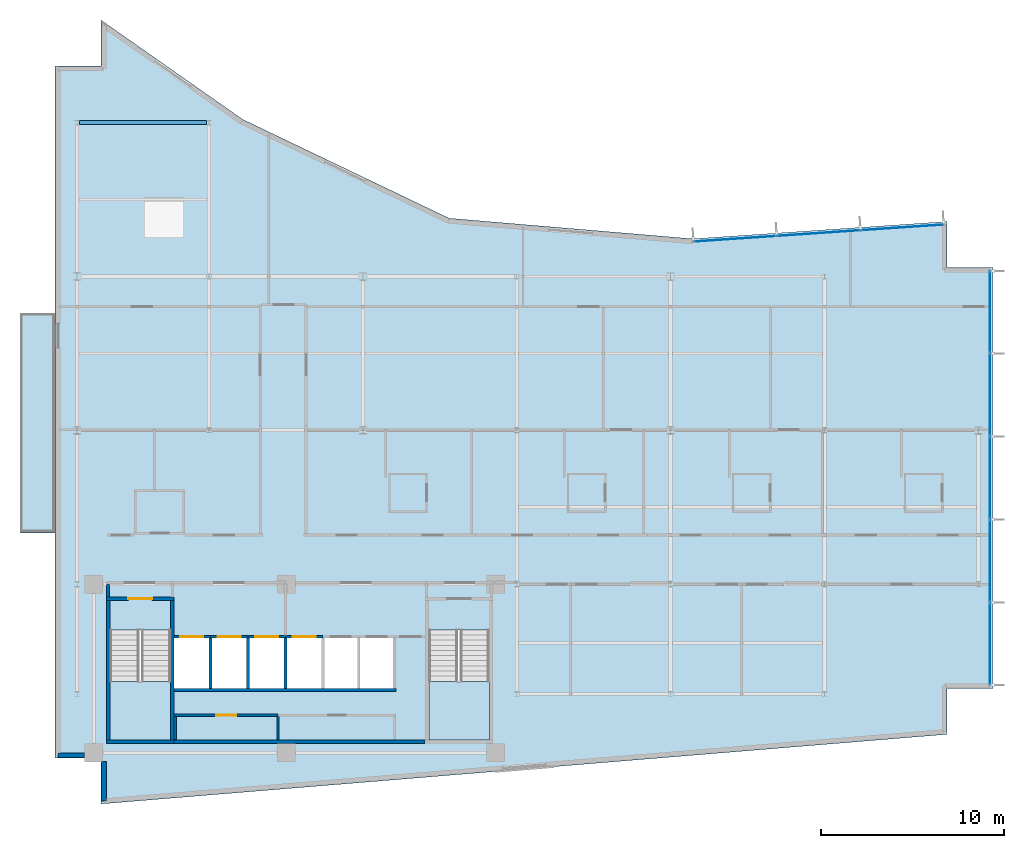
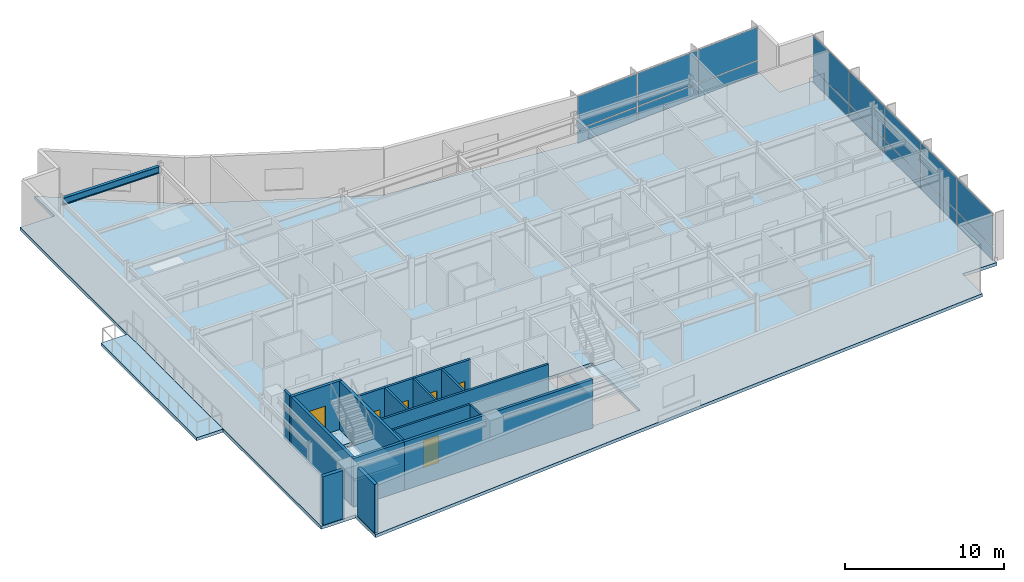
# One storey, part 9 of 16: 19 walls, 16 plates, 6 doors, 4 slabs, 1 beam, 6 openings, 4 elements without a shape of their own.
"""IFC4 building model written with IfcOpenShell, lengths in metres."""

from ifc_helpers import new_model, si_unit, direction, frame, frame_2d, origin, origin_2d, place, context, subcontext, project, spatial, polyline, rectangle, i_section, outline, extrude, material, layer, layer_set, material_profile, profile_set, type_object, element, fill, aggregate, save


model = new_model("IFC4")

# Units and contexts
model_context = context("Model", 3, precision=1e-05, world=origin(), true_north=direction((0.0, 1.0)))
body_context = subcontext(model_context, "Body", "Model", "MODEL_VIEW")
ifc_project = project(units=[si_unit("LENGTHUNIT", "METRE"), si_unit("AREAUNIT", "SQUARE_METRE"), si_unit("VOLUMEUNIT", "CUBIC_METRE"), si_unit("PLANEANGLEUNIT", "RADIAN"), si_unit("MASSUNIT", "GRAM", prefix="KILO")], contexts=[model_context])

# Site, building, storey
site_placement = place(None, origin())
site = spatial("IfcSite", under=ifc_project, at=site_placement, CompositionType="ELEMENT")
building_placement = place(site_placement, origin())
building = spatial("IfcBuilding", under=site, at=building_placement, Name="Varnakote Quay Hospital", CompositionType="ELEMENT")
storey_placement = place(building_placement, frame((0.0, 0.0, 188.14990234375)))
storey = spatial("IfcBuildingStorey", under=building, at=storey_placement, Name="L46", CompositionType="ELEMENT", Elevation=188.14990234375)

# Beam
ifc_material_1 = material(Name="Structural steel AS/NZS 3679.1 Grade 350 L0 (fy 340 MPa)", Category="steel")
ifc_material_profile = material_profile(ifc_material_1, i_section(OverallWidth=0.208984375, OverallDepth=0.532958984375, WebThickness=0.01025390625, FlangeThickness=0.015625, FilletRadius=0.013916015625, at=origin_2d()), Name="530UB92.4")
ifc_profile_set = profile_set([ifc_material_profile], Name="Structural steel AS/NZS 3679.1 Grade 350 L0 (fy 340 MPa)")
beam_type = type_object("IfcBeamType", Name="BM-STL-530UB92-4", PredefinedType="BEAM", material=ifc_profile_set)
beam_placement = place(storey_placement, frame((1.327880859375, 37.199951171875, 3.443603515625), z_axis=(1.0, 0.0, 0.0), x_axis=(0.0, 1.0, 0.0)))
element("IfcBeam", 1, at=beam_placement, inside=storey, type_object=beam_type, Name="L46 Primary Floor Beam", PredefinedType="BEAM", context=body_context, shape_type="SweptSolid", body=[
    extrude(i_section(OverallWidth=0.208984375, OverallDepth=0.532958984375, WebThickness=0.01025390625, FlangeThickness=0.015625, FilletRadius=0.013916015625, at=origin_2d()), origin(), (0.0, 0.0, 1.0), 6.944091796875),
])

# Curtain wall, plates
ifc_material_2 = material(Name="Anodised aluminium 6063-T6 Bronze", Category="aluminium")
ifc_layer_1 = layer(ifc_material_2, 0.219970703125)
ifc_layer_set_1 = layer_set([ifc_layer_1], Name="Anodised aluminium 6063-T6 Bronze")
curtain_wall_type = type_object("IfcCurtainWallType", Name="CW-SYS-4", PredefinedType="NOTDEFINED", material=ifc_layer_set_1)
curtain_wall_1_placement = place(storey_placement, origin())
curtain_wall_1 = element("IfcCurtainWall", 2, at=curtain_wall_1_placement, inside=storey, type_object=curtain_wall_type, Name="L46 Unitised Bronze Curtain Wall 1", PredefinedType="NOTDEFINED")
ifc_material_3 = material(Name="Double-glazed low-E solar glass", Category="glass")
ifc_layer_2 = layer(ifc_material_3, 0.028076171875)
ifc_layer_set_2 = layer_set([ifc_layer_2], Name="Double-glazed low-E solar glass")
plate_type = type_object("IfcPlateType", Name="CW-PNL-GLZ-28", PredefinedType="CURTAIN_PANEL", material=ifc_layer_set_2)
plate_1_placement = place(storey_placement, frame((51.0400390625, 8.744140625, 0.065185546875), z_axis=(0.0, 0.0, 1.0), x_axis=(0.0, 1.0, 0.0)))
plate_1 = element("IfcPlate", 3, at=plate_1_placement, type_object=plate_type, Name="-4-L46-1 panel 1.1", PredefinedType="CURTAIN_PANEL", context=body_context, shape_type="SweptSolid", body=[
    extrude(rectangle(XDim=4.4384765625, YDim=0.028076171875, at=origin_2d()), origin(), (0.0, 0.0, 1.0), 1.00244140625),
])
plate_2_placement = place(storey_placement, frame((51.0400390625, 8.744140625, 1.1328125), z_axis=(0.0, 0.0, 1.0), x_axis=(0.0, 1.0, 0.0)))
plate_2 = element("IfcPlate", 4, at=plate_2_placement, type_object=plate_type, Name="-4-L46-1 panel 1.2", PredefinedType="CURTAIN_PANEL", context=body_context, shape_type="SweptSolid", body=[
    extrude(rectangle(XDim=4.4384765625, YDim=0.028076171875, at=origin_2d()), origin(), (0.0, 0.0, 1.0), 2.512451171875),
])
plate_3_placement = place(storey_placement, frame((51.0400390625, 13.263916015625, 0.065185546875), z_axis=(0.0, 0.0, 1.0), x_axis=(0.0, 1.0, 0.0)))
plate_3 = element("IfcPlate", 5, at=plate_3_placement, type_object=plate_type, Name="-4-L46-1 panel 2.1", PredefinedType="CURTAIN_PANEL", context=body_context, shape_type="SweptSolid", body=[
    extrude(rectangle(XDim=4.470947265625, YDim=0.028076171875, at=origin_2d()), origin(), (0.0, 0.0, 1.0), 1.00244140625),
])
plate_4_placement = place(storey_placement, frame((51.0400390625, 13.263916015625, 1.1328125), z_axis=(0.0, 0.0, 1.0), x_axis=(0.0, 1.0, 0.0)))
plate_4 = element("IfcPlate", 6, at=plate_4_placement, type_object=plate_type, Name="-4-L46-1 panel 2.2", PredefinedType="CURTAIN_PANEL", context=body_context, shape_type="SweptSolid", body=[
    extrude(rectangle(XDim=4.470947265625, YDim=0.028076171875, at=origin_2d()), origin(), (0.0, 0.0, 1.0), 2.512451171875),
])
plate_5_placement = place(storey_placement, frame((51.0400390625, 17.800048828125, 0.065185546875), z_axis=(0.0, 0.0, 1.0), x_axis=(0.0, 1.0, 0.0)))
plate_5 = element("IfcPlate", 7, at=plate_5_placement, type_object=plate_type, Name="-4-L46-1 panel 3.1", PredefinedType="CURTAIN_PANEL", context=body_context, shape_type="SweptSolid", body=[
    extrude(rectangle(XDim=4.470947265625, YDim=0.028076171875, at=origin_2d()), origin(), (0.0, 0.0, 1.0), 1.00244140625),
])
plate_6_placement = place(storey_placement, frame((51.0400390625, 17.800048828125, 1.1328125), z_axis=(0.0, 0.0, 1.0), x_axis=(0.0, 1.0, 0.0)))
plate_6 = element("IfcPlate", 8, at=plate_6_placement, type_object=plate_type, Name="-4-L46-1 panel 3.2", PredefinedType="CURTAIN_PANEL", context=body_context, shape_type="SweptSolid", body=[
    extrude(rectangle(XDim=4.470947265625, YDim=0.028076171875, at=origin_2d()), origin(), (0.0, 0.0, 1.0), 2.512451171875),
])
plate_7_placement = place(storey_placement, frame((51.0400390625, 22.3359375, 0.065185546875), z_axis=(0.0, 0.0, 1.0), x_axis=(0.0, 1.0, 0.0)))
plate_7 = element("IfcPlate", 9, at=plate_7_placement, type_object=plate_type, Name="-4-L46-1 panel 4.1", PredefinedType="CURTAIN_PANEL", context=body_context, shape_type="SweptSolid", body=[
    extrude(rectangle(XDim=4.470947265625, YDim=0.028076171875, at=origin_2d()), origin(), (0.0, 0.0, 1.0), 1.00244140625),
])
plate_8_placement = place(storey_placement, frame((51.0400390625, 22.3359375, 1.1328125), z_axis=(0.0, 0.0, 1.0), x_axis=(0.0, 1.0, 0.0)))
plate_8 = element("IfcPlate", 10, at=plate_8_placement, type_object=plate_type, Name="-4-L46-1 panel 4.2", PredefinedType="CURTAIN_PANEL", context=body_context, shape_type="SweptSolid", body=[
    extrude(rectangle(XDim=4.470947265625, YDim=0.028076171875, at=origin_2d()), origin(), (0.0, 0.0, 1.0), 2.512451171875),
])
plate_9_placement = place(storey_placement, frame((51.0400390625, 26.855712890625, 0.065185546875), z_axis=(0.0, 0.0, 1.0), x_axis=(0.0, 1.0, 0.0)))
plate_9 = element("IfcPlate", 11, at=plate_9_placement, type_object=plate_type, Name="-4-L46-1 panel 5.1", PredefinedType="CURTAIN_PANEL", context=body_context, shape_type="SweptSolid", body=[
    extrude(rectangle(XDim=4.4384765625, YDim=0.028076171875, at=origin_2d()), origin(), (0.0, 0.0, 1.0), 1.00244140625),
])
plate_10_placement = place(storey_placement, frame((51.0400390625, 26.855712890625, 1.1328125), z_axis=(0.0, 0.0, 1.0), x_axis=(0.0, 1.0, 0.0)))
plate_10 = element("IfcPlate", 12, at=plate_10_placement, type_object=plate_type, Name="-4-L46-1 panel 5.2", PredefinedType="CURTAIN_PANEL", context=body_context, shape_type="SweptSolid", body=[
    extrude(rectangle(XDim=4.4384765625, YDim=0.028076171875, at=origin_2d()), origin(), (0.0, 0.0, 1.0), 2.512451171875),
])
aggregate(curtain_wall_1, [plate_1, plate_2, plate_3, plate_4, plate_5, plate_6, plate_7, plate_8, plate_9, plate_10])

curtain_wall_2_placement = place(storey_placement, origin())
curtain_wall_2 = element("IfcCurtainWall", 13, at=curtain_wall_2_placement, inside=storey, type_object=curtain_wall_type, Name="L46 Unitised Bronze Curtain Wall 2", PredefinedType="NOTDEFINED")
plate_11_placement = place(storey_placement, frame((46.236328125, 31.47216796875, 0.065185546875), z_axis=(0.0, 0.0, 1.0), x_axis=(-0.997696087615, -0.067841851077, 0.0)))
plate_11 = element("IfcPlate", 14, at=plate_11_placement, type_object=plate_type, Name="-4-L46-2 panel 1.1", PredefinedType="CURTAIN_PANEL", context=body_context, shape_type="SweptSolid", body=[
    extrude(rectangle(XDim=4.48828125, YDim=0.028076171875, at=origin_2d()), origin(), (0.0, 0.0, 1.0), 1.00244140625),
])
plate_12_placement = place(storey_placement, frame((46.236328125, 31.47216796875, 1.1328125), z_axis=(0.0, 0.0, 1.0), x_axis=(-0.997696087615, -0.067841851077, 0.0)))
plate_12 = element("IfcPlate", 15, at=plate_12_placement, type_object=plate_type, Name="-4-L46-2 panel 1.2", PredefinedType="CURTAIN_PANEL", context=body_context, shape_type="SweptSolid", body=[
    extrude(rectangle(XDim=4.48828125, YDim=0.028076171875, at=origin_2d()), origin(), (0.0, 0.0, 1.0), 2.512451171875),
])
plate_13_placement = place(storey_placement, frame((41.67724609375, 31.162109375, 0.065185546875), z_axis=(0.0, 0.0, 1.0), x_axis=(-0.997696087615, -0.067841851077, 0.0)))
plate_13 = element("IfcPlate", 16, at=plate_13_placement, type_object=plate_type, Name="-4-L46-2 panel 2.1", PredefinedType="CURTAIN_PANEL", context=body_context, shape_type="SweptSolid", body=[
    extrude(rectangle(XDim=4.520751953125, YDim=0.028076171875, at=origin_2d()), origin(), (0.0, 0.0, 1.0), 1.00244140625),
])
plate_14_placement = place(storey_placement, frame((41.67724609375, 31.162109375, 1.1328125), z_axis=(0.0, 0.0, 1.0), x_axis=(-0.997696087615, -0.067841851077, 0.0)))
plate_14 = element("IfcPlate", 17, at=plate_14_placement, type_object=plate_type, Name="-4-L46-2 panel 2.2", PredefinedType="CURTAIN_PANEL", context=body_context, shape_type="SweptSolid", body=[
    extrude(rectangle(XDim=4.520751953125, YDim=0.028076171875, at=origin_2d()), origin(), (0.0, 0.0, 1.0), 2.512451171875),
])
plate_15_placement = place(storey_placement, frame((37.118408203125, 30.85205078125, 0.065185546875), z_axis=(0.0, 0.0, 1.0), x_axis=(-0.997696087615, -0.067841851077, 0.0)))
plate_15 = element("IfcPlate", 18, at=plate_15_placement, type_object=plate_type, Name="-4-L46-2 panel 3.1", PredefinedType="CURTAIN_PANEL", context=body_context, shape_type="SweptSolid", body=[
    extrude(rectangle(XDim=4.48828125, YDim=0.028076171875, at=origin_2d()), origin(), (0.0, 0.0, 1.0), 1.00244140625),
])
plate_16_placement = place(storey_placement, frame((37.118408203125, 30.85205078125, 1.1328125), z_axis=(0.0, 0.0, 1.0), x_axis=(-0.997696087615, -0.067841851077, 0.0)))
plate_16 = element("IfcPlate", 19, at=plate_16_placement, type_object=plate_type, Name="-4-L46-2 panel 3.2", PredefinedType="CURTAIN_PANEL", context=body_context, shape_type="SweptSolid", body=[
    extrude(rectangle(XDim=4.48828125, YDim=0.028076171875, at=origin_2d()), origin(), (0.0, 0.0, 1.0), 2.512451171875),
])
aggregate(curtain_wall_2, [plate_11, plate_12, plate_13, plate_14, plate_15, plate_16])

# Stair, slab
ifc_material_4 = material(Name="Concrete N40 (f'c 40 MPa)", Category="concrete")
stair_type = type_object("IfcStairType", Name="STR-CORE-1580", PredefinedType="HALF_TURN_STAIR", material=ifc_material_4)
stair_1_placement = place(storey_placement, origin())
stair_1 = element("IfcStair", 20, at=stair_1_placement, inside=storey, type_object=stair_type, Name="L46 Fire-Isolated Exit Stair ST-01", PredefinedType="HALF_TURN_STAIR")
ifc_material_5 = material(Name="Concrete N40 (f'c 40 MPa)", Category="concrete")
ifc_layer_3 = layer(ifc_material_5, 0.199951171875)
ifc_layer_set_3 = layer_set([ifc_layer_3], Name="Concrete N40 (f'c 40 MPa)")
slab_type_1 = type_object("IfcSlabType", Name="SLB-STAIR-LND-200", PredefinedType="LANDING", material=ifc_layer_set_3)
slab_1_placement = place(storey_placement, frame((0.0, 0.0, 1.775146484375)))
slab_1 = element("IfcSlab", 21, at=slab_1_placement, type_object=slab_type_1, Name="ST-01 landing 1", PredefinedType="LANDING", context=body_context, shape_type="SweptSolid", body=[
    extrude(outline(polyline([(3.0, 6.699951171875), (3.0, 3.5), (6.300048828125, 3.5), (6.300048828125, 6.699951171875), (3.0, 6.699951171875)])), origin(), (0.0, 0.0, 1.0), 0.199951171875),
])
aggregate(stair_1, [slab_1])

stair_2_placement = place(storey_placement, origin())
stair_2 = element("IfcStair", 22, at=stair_2_placement, inside=storey, type_object=stair_type, Name="L46 Fire-Isolated Exit Stair ST-02", PredefinedType="HALF_TURN_STAIR")
slab_2_placement = place(storey_placement, frame((0.0, 0.0, 1.775146484375)))
slab_2 = element("IfcSlab", 23, at=slab_2_placement, type_object=slab_type_1, Name="ST-02 landing 1", PredefinedType="LANDING", context=body_context, shape_type="SweptSolid", body=[
    extrude(outline(polyline([(20.39990234375, 6.699951171875), (20.39990234375, 3.5), (23.699951171875, 3.5), (23.699951171875, 6.699951171875), (20.39990234375, 6.699951171875)])), origin(), (0.0, 0.0, 1.0), 0.199951171875),
])
aggregate(stair_2, [slab_2])

# Slabs
ifc_material_6 = material(Name="Concrete N50 (f'c 50 MPa)", Category="concrete")
ifc_layer_4 = layer(ifc_material_6, 0.239990234375)
ifc_layer_set_4 = layer_set([ifc_layer_4], Name="Concrete N50 (f'c 50 MPa)")
slab_type_2 = type_object("IfcSlabType", Name="SLB-TERR-200", PredefinedType="FLOOR", material=ifc_layer_set_4)
slab_3_placement = place(storey_placement, frame((0.0, 0.0, -0.239990234375)))
element("IfcSlab", 24, at=slab_3_placement, inside=storey, type_object=slab_type_2, Name="L46 Waterfront Healing Terrace Slab", PredefinedType="FLOOR", context=body_context, shape_type="SweptSolid", body=[
    extrude(outline(polyline([(0.00390625, 14.800048828125), (0.00390625, 26.800048828125), (-1.919921875, 26.800048828125), (-1.919921875, 14.800048828125), (0.00390625, 14.800048828125)])), origin(), (0.0, 0.0, 1.0), 0.239990234375),
])
ifc_material_7 = material(Name="Concrete N50 (f'c 50 MPa)", Category="concrete")
ifc_layer_5 = layer(ifc_material_7, 0.239990234375)
ifc_layer_set_5 = layer_set([ifc_layer_5], Name="Concrete N50 (f'c 50 MPa)")
slab_type_3 = type_object("IfcSlabType", Name="SLB-WARD-200", PredefinedType="FLOOR", material=ifc_layer_set_5)
slab_4_placement = place(storey_placement, frame((0.0, 0.0, -0.239990234375)))
element("IfcSlab", 25, at=slab_4_placement, inside=storey, type_object=slab_type_3, Name="L46 Primary Floor Slab", PredefinedType="FLOOR", context=body_context, shape_type="SweptSolid", body=[
    extrude(outline(polyline([(0.0, 2.5), (2.5, 2.5), (2.5, 0.0), (48.699951171875, 3.800048828125), (48.699951171875, 6.300048828125), (51.199951171875, 6.300048828125), (51.199951171875, 29.300048828125), (48.699951171875, 29.300048828125), (48.699951171875, 31.800048828125), (34.81591796875, 30.85595703125), (21.50390625, 31.97998046875), (10.239990234375, 37.3759765625), (2.5, 42.800048828125), (2.5, 40.300048828125), (0.0, 40.300048828125), (0.0, 2.5)]), holes=[polyline([(3.0, 3.5), (6.300048828125, 3.5), (6.300048828125, 9.49951171875), (3.0, 9.49951171875), (3.0, 3.5)]), polyline([(20.39990234375, 3.5), (23.699951171875, 3.5), (23.699951171875, 9.49951171875), (20.39990234375, 9.49951171875), (20.39990234375, 3.5)]), polyline([(6.5, 6.300048828125), (8.39990234375, 6.300048828125), (8.39990234375, 9.050048828125), (6.5, 9.050048828125), (6.5, 6.300048828125)]), polyline([(8.550048828125, 6.300048828125), (10.449951171875, 6.300048828125), (10.449951171875, 9.050048828125), (8.550048828125, 9.050048828125), (8.550048828125, 6.300048828125)]), polyline([(10.60009765625, 6.300048828125), (12.5, 6.300048828125), (12.5, 9.050048828125), (10.60009765625, 9.050048828125), (10.60009765625, 6.300048828125)]), polyline([(12.64990234375, 6.300048828125), (14.550048828125, 6.300048828125), (14.550048828125, 9.050048828125), (12.64990234375, 9.050048828125), (12.64990234375, 6.300048828125)]), polyline([(14.699951171875, 6.300048828125), (16.5, 6.300048828125), (16.5, 9.050048828125), (14.699951171875, 9.050048828125), (14.699951171875, 6.300048828125)]), polyline([(16.64990234375, 6.300048828125), (18.449951171875, 6.300048828125), (18.449951171875, 9.050048828125), (16.64990234375, 9.050048828125), (16.64990234375, 6.300048828125)])]), origin(), (0.0, 0.0, 1.0), 0.239990234375),
])

# Walls
ifc_material_8 = material(Name="Fire-rated acoustic gypsum stud wall", Category="gypsum")
ifc_layer_6 = layer(ifc_material_8, 0.159912109375)
ifc_layer_set_6 = layer_set([ifc_layer_6], Name="Fire-rated acoustic gypsum stud wall")
wall_type_1 = type_object("IfcWallType", Name="WL-COMP-160", PredefinedType="PARTITIONING", material=ifc_layer_set_6)
wall_1_placement = place(storey_placement, frame((2.8798828125, 11.300048828125, 0.0), z_axis=(0.0, 0.0, 1.0), x_axis=(0.0, 1.0, 0.0)))
element("IfcWall", 26, at=wall_1_placement, inside=storey, type_object=wall_type_1, Name="L46 West Stair Vestibule West Wall", PredefinedType="PARTITIONING", context=body_context, shape_type="SweptSolid", body=[
    extrude(rectangle(XDim=0.699951171875, YDim=0.159912109375, at=frame_2d((0.35009765625, 0.0))), origin(), (0.0, 0.0, 1.0), 3.710205078125),
])
ifc_material_9 = material(Name="Concrete N50 (f'c 50 MPa)", Category="concrete")
ifc_layer_7 = layer(ifc_material_9, 0.199951171875)
ifc_layer_set_7 = layer_set([ifc_layer_7], Name="Concrete N50 (f'c 50 MPa)")
wall_type_2 = type_object("IfcWallType", Name="WL-CORE-N50-200", PredefinedType="SHEAR", material=ifc_layer_set_7)
wall_2_placement = place(storey_placement, frame((6.5, 3.39990234375, 0.0), z_axis=(0.0, 0.0, 1.0), x_axis=(1.0, 0.0, 0.0)))
element("IfcWall", 27, at=wall_2_placement, inside=storey, type_object=wall_type_2, Name="L46 Rear Core South Shear Wall", PredefinedType="SHEAR", context=body_context, shape_type="SweptSolid", body=[
    extrude(rectangle(XDim=13.699951171875, YDim=0.199951171875, at=frame_2d((6.85009765625, 0.0))), origin(), (0.0, 0.0, 1.0), 3.710205078125),
])
ifc_material_10 = material(Name="Precast concrete N50 (f'c 50 MPa)", Category="concrete")
ifc_layer_8 = layer(ifc_material_10, 0.260009765625)
ifc_layer_set_8 = layer_set([ifc_layer_8], Name="Precast concrete N50 (f'c 50 MPa)")
wall_type_3 = type_object("IfcWallType", Name="WL-EXT-BRICK-260", PredefinedType="STANDARD", material=ifc_layer_set_8)
wall_3_placement = place(storey_placement, frame((2.659912109375, 2.31494140625, 0.0), z_axis=(0.0, 0.0, 1.0), x_axis=(0.0, -1.0, 0.0)))
element("IfcWall", 28, at=wall_3_placement, inside=storey, type_object=wall_type_3, Name="L46 Brick-Faced Precast Exterior Wall", PredefinedType="STANDARD", context=body_context, shape_type="SweptSolid", body=[
    extrude(rectangle(XDim=2.141357421875, YDim=0.260009765625, at=frame_2d((1.07080078125, 0.0))), origin(), (0.0, 0.0, 1.0), 3.710205078125),
])
wall_4_placement = place(storey_placement, frame((0.159912109375, 2.659912109375, 0.0), z_axis=(0.0, 0.0, 1.0), x_axis=(1.0, 0.0, 0.0)))
element("IfcWall", 29, at=wall_4_placement, inside=storey, type_object=wall_type_3, Name="L46 Brick-Faced Precast Exterior Wall", PredefinedType="STANDARD", context=body_context, shape_type="SweptSolid", body=[
    extrude(rectangle(XDim=1.455078125, YDim=0.260009765625, at=frame_2d((0.7275390625, 0.0))), origin(), (0.0, 0.0, 1.0), 3.710205078125),
])
ifc_material_11 = material(Name="Concrete N50 (f'c 50 MPa)", Category="concrete")
ifc_layer_9 = layer(ifc_material_11, 0.14990234375)
ifc_layer_set_9 = layer_set([ifc_layer_9], Name="Concrete N50 (f'c 50 MPa)")
wall_type_4 = type_object("IfcWallType", Name="WL-SHAFT-N50-150", PredefinedType="SHEAR", material=ifc_layer_set_9)
for number, where, z_axis, x_axis, name in (
    (30, (8.47509765625, 6.300048828125, 0.0), (0.0, 0.0, 1.0), (0.0, 1.0, 0.0), "L46 LF-FF1 Hoistway Divider Wall"),
    (31, (10.52490234375, 6.300048828125, 0.0), (0.0, 0.0, 1.0), (0.0, 1.0, 0.0), "L46 LF-FF2 Hoistway Divider Wall"),
    (32, (12.574951171875, 6.300048828125, 0.0), (0.0, 0.0, 1.0), (0.0, 1.0, 0.0), "L46 LF-SV1 Hoistway Divider Wall"),
):
    element("IfcWall", number, at=place(storey_placement, frame(where, z_axis=z_axis, x_axis=x_axis)), inside=storey, type_object=wall_type_4, Name=name, PredefinedType="SHEAR", context=body_context, shape_type="SweptSolid", body=[
        extrude(rectangle(XDim=2.75, YDim=0.14990234375, at=frame_2d((1.375, 0.0))), origin(), (0.0, 0.0, 1.0), 3.710205078125),
    ])
ifc_material_12 = material(Name="Concrete N50 (f'c 50 MPa)", Category="concrete")
ifc_layer_10 = layer(ifc_material_12, 0.159912109375)
ifc_layer_set_10 = layer_set([ifc_layer_10], Name="Concrete N50 (f'c 50 MPa)")
wall_type_5 = type_object("IfcWallType", Name="WL-SHAFT-N50-160", PredefinedType="SHEAR", material=ifc_layer_set_10)
wall_5_placement = place(storey_placement, frame((6.5, 6.219970703125, 0.0), z_axis=(0.0, 0.0, 1.0), x_axis=(1.0, 0.0, 0.0)))
element("IfcWall", 33, at=wall_5_placement, inside=storey, type_object=wall_type_5, Name="L46 REAR Lift Bank Back Shear Wall", PredefinedType="SHEAR", context=body_context, shape_type="SweptSolid", body=[
    extrude(rectangle(XDim=12.110107421875, YDim=0.159912109375, at=frame_2d((6.05517578125, 0.0))), origin(), (0.0, 0.0, 1.0), 3.710205078125),
])

# Wall, opening, door
wall_6_placement = place(storey_placement, frame((6.5, 9.1298828125, 0.0), z_axis=(0.0, 0.0, 1.0), x_axis=(1.0, 0.0, 0.0)))
wall_6 = element("IfcWall", 34, at=wall_6_placement, inside=storey, type_object=wall_type_5, Name="L46 LF-FF1 Hoistway Front Wall", PredefinedType="SHEAR", context=body_context, shape_type="SweptSolid", body=[
    extrude(rectangle(XDim=1.97509765625, YDim=0.159912109375, at=frame_2d((0.987548828125, 0.0))), origin(), (0.0, 0.0, 1.0), 3.710205078125),
])
opening_1_placement = place(wall_6_placement, frame((0.324951171875, 0.0, 0.0)))
opening_1 = element("IfcOpeningElement", 35, at=opening_1_placement, cuts=wall_6, Name="Opening LD-FF1-L46", PredefinedType="OPENING", context=body_context, shape_type="SweptSolid", body=[
    extrude(rectangle(XDim=1.25, YDim=2.14990234375, at=frame_2d((0.625, 1.074951171875))), frame((0.0, 0.08984375, 0.0), z_axis=(0.0, -1.0, 0.0), x_axis=(1.0, 0.0, 0.0)), (0.0, 0.0, 1.0), 0.179931640625),
])
ifc_material_13 = material(Name="Stainless steel lift landing sliding door", Category="steel")
door_type_1 = type_object("IfcDoorType", Name="DR-LIFT-LD-1250x2150", OperationType="NOTDEFINED", PredefinedType="DOOR", material=ifc_material_13)
door_1_placement = place(opening_1_placement, origin())
door_1 = element("IfcDoor", 36, at=door_1_placement, inside=storey, type_object=door_type_1, Name="L46 LF-FF1 Lift Landing Sliding Door", OperationType="SLIDING_TO_LEFT", OverallHeight=2.14990234375, OverallWidth=1.25, PredefinedType="DOOR", context=body_context, shape_type="SweptSolid", body=[
    extrude(rectangle(XDim=1.25, YDim=2.14990234375, at=frame_2d((0.625, 1.074951171875))), frame((0.0, 0.02490234375, 0.0), z_axis=(0.0, -1.0, 0.0), x_axis=(1.0, 0.0, 0.0)), (0.0, 0.0, 1.0), 0.050048828125),
])
fill(opening_1, door_1)

wall_7_placement = place(storey_placement, frame((8.47509765625, 9.1298828125, 0.0), z_axis=(0.0, 0.0, 1.0), x_axis=(1.0, 0.0, 0.0)))
wall_7 = element("IfcWall", 37, at=wall_7_placement, inside=storey, type_object=wall_type_5, Name="L46 LF-FF2 Hoistway Front Wall", PredefinedType="SHEAR", context=body_context, shape_type="SweptSolid", body=[
    extrude(rectangle(XDim=2.0498046875, YDim=0.159912109375, at=frame_2d((1.02490234375, 0.0))), origin(), (0.0, 0.0, 1.0), 3.710205078125),
])
opening_2_placement = place(wall_7_placement, frame((0.39990234375, 0.0, 0.0)))
opening_2 = element("IfcOpeningElement", 38, at=opening_2_placement, cuts=wall_7, Name="Opening LD-FF2-L46", PredefinedType="OPENING", context=body_context, shape_type="SweptSolid", body=[
    extrude(rectangle(XDim=1.25, YDim=2.14990234375, at=frame_2d((0.625, 1.074951171875))), frame((0.0, 0.08984375, 0.0), z_axis=(0.0, -1.0, 0.0), x_axis=(1.0, 0.0, 0.0)), (0.0, 0.0, 1.0), 0.179931640625),
])
door_2_placement = place(opening_2_placement, origin())
door_2 = element("IfcDoor", 39, at=door_2_placement, inside=storey, type_object=door_type_1, Name="L46 LF-FF2 Lift Landing Sliding Door", OperationType="SLIDING_TO_LEFT", OverallHeight=2.14990234375, OverallWidth=1.25, PredefinedType="DOOR", context=body_context, shape_type="SweptSolid", body=[
    extrude(rectangle(XDim=1.25, YDim=2.14990234375, at=frame_2d((0.625, 1.074951171875))), frame((0.0, 0.02490234375, 0.0), z_axis=(0.0, -1.0, 0.0), x_axis=(1.0, 0.0, 0.0)), (0.0, 0.0, 1.0), 0.050048828125),
])
fill(opening_2, door_2)

wall_8_placement = place(storey_placement, frame((10.52490234375, 9.1298828125, 0.0), z_axis=(0.0, 0.0, 1.0), x_axis=(1.0, 0.0, 0.0)))
wall_8 = element("IfcWall", 40, at=wall_8_placement, inside=storey, type_object=wall_type_5, Name="L46 LF-SV1 Hoistway Front Wall", PredefinedType="SHEAR", context=body_context, shape_type="SweptSolid", body=[
    extrude(rectangle(XDim=2.050048828125, YDim=0.159912109375, at=frame_2d((1.02490234375, 0.0))), origin(), (0.0, 0.0, 1.0), 3.710205078125),
])
opening_3_placement = place(wall_8_placement, frame((0.39990234375, 0.0, 0.0)))
opening_3 = element("IfcOpeningElement", 41, at=opening_3_placement, cuts=wall_8, Name="Opening LD-SV1-L46", PredefinedType="OPENING", context=body_context, shape_type="SweptSolid", body=[
    extrude(rectangle(XDim=1.25, YDim=2.14990234375, at=frame_2d((0.625, 1.074951171875))), frame((0.0, 0.08984375, 0.0), z_axis=(0.0, -1.0, 0.0), x_axis=(1.0, 0.0, 0.0)), (0.0, 0.0, 1.0), 0.179931640625),
])
door_3_placement = place(opening_3_placement, origin())
door_3 = element("IfcDoor", 42, at=door_3_placement, inside=storey, type_object=door_type_1, Name="L46 LF-SV1 Lift Landing Sliding Door", OperationType="SLIDING_TO_LEFT", OverallHeight=2.14990234375, OverallWidth=1.25, PredefinedType="DOOR", context=body_context, shape_type="SweptSolid", body=[
    extrude(rectangle(XDim=1.25, YDim=2.14990234375, at=frame_2d((0.625, 1.074951171875))), frame((0.0, 0.02490234375, 0.0), z_axis=(0.0, -1.0, 0.0), x_axis=(1.0, 0.0, 0.0)), (0.0, 0.0, 1.0), 0.050048828125),
])
fill(opening_3, door_3)

wall_9_placement = place(storey_placement, frame((12.574951171875, 9.1298828125, 0.0), z_axis=(0.0, 0.0, 1.0), x_axis=(1.0, 0.0, 0.0)))
wall_9 = element("IfcWall", 43, at=wall_9_placement, inside=storey, type_object=wall_type_5, Name="L46 LF-SV2 Hoistway Front Wall", PredefinedType="SHEAR", context=body_context, shape_type="SweptSolid", body=[
    extrude(rectangle(XDim=2.050048828125, YDim=0.159912109375, at=frame_2d((1.02490234375, 0.0))), origin(), (0.0, 0.0, 1.0), 3.710205078125),
])
opening_4_placement = place(wall_9_placement, frame((0.39990234375, 0.0, 0.0)))
opening_4 = element("IfcOpeningElement", 44, at=opening_4_placement, cuts=wall_9, Name="Opening LD-SV2-L46", PredefinedType="OPENING", context=body_context, shape_type="SweptSolid", body=[
    extrude(rectangle(XDim=1.25, YDim=2.14990234375, at=frame_2d((0.625, 1.074951171875))), frame((0.0, 0.08984375, 0.0), z_axis=(0.0, -1.0, 0.0), x_axis=(1.0, 0.0, 0.0)), (0.0, 0.0, 1.0), 0.179931640625),
])
door_4_placement = place(opening_4_placement, origin())
door_4 = element("IfcDoor", 45, at=door_4_placement, inside=storey, type_object=door_type_1, Name="L46 LF-SV2 Lift Landing Sliding Door", OperationType="SLIDING_TO_LEFT", OverallHeight=2.14990234375, OverallWidth=1.25, PredefinedType="DOOR", context=body_context, shape_type="SweptSolid", body=[
    extrude(rectangle(XDim=1.25, YDim=2.14990234375, at=frame_2d((0.625, 1.074951171875))), frame((0.0, 0.02490234375, 0.0), z_axis=(0.0, -1.0, 0.0), x_axis=(1.0, 0.0, 0.0)), (0.0, 0.0, 1.0), 0.050048828125),
])
fill(opening_4, door_4)

# Walls
ifc_material_14 = material(Name="Concrete N50 (f'c 50 MPa)", Category="concrete")
ifc_layer_11 = layer(ifc_material_14, 0.199951171875)
ifc_layer_set_11 = layer_set([ifc_layer_11], Name="Concrete N50 (f'c 50 MPa)")
wall_type_6 = type_object("IfcWallType", Name="WL-SHAFT-N50-200", PredefinedType="SHEAR", material=ifc_layer_set_11)
wall_10_placement = place(storey_placement, frame((2.800048828125, 3.39990234375, 0.0), z_axis=(0.0, 0.0, 1.0), x_axis=(1.0, 0.0, 0.0)))
element("IfcWall", 46, at=wall_10_placement, inside=storey, type_object=wall_type_6, Name="L46 Stair ST1 South Shaft Wall", PredefinedType="SHEAR", context=body_context, shape_type="SweptSolid", body=[
    extrude(rectangle(XDim=3.699951171875, YDim=0.199951171875, at=frame_2d((1.85009765625, 0.0))), origin(), (0.0, 0.0, 1.0), 3.710205078125),
])
for number, where, z_axis, x_axis, name in (
    (47, (2.89990234375, 3.5, 0.0), (0.0, 0.0, 1.0), (0.0, 1.0, 0.0), "L46 Stair ST1 West Shaft Wall"),
    (48, (6.39990234375, 3.5, 0.0), (0.0, 0.0, 1.0), (0.0, 1.0, 0.0), "L46 Stair ST1 East Shaft Wall"),
):
    element("IfcWall", number, at=place(storey_placement, frame(where, z_axis=z_axis, x_axis=x_axis)), inside=storey, type_object=wall_type_6, Name=name, PredefinedType="SHEAR", context=body_context, shape_type="SweptSolid", body=[
        extrude(rectangle(XDim=7.60009765625, YDim=0.199951171875, at=frame_2d((3.800048828125, 0.0))), origin(), (0.0, 0.0, 1.0), 3.710205078125),
    ])

# Wall, opening, door
wall_11_placement = place(storey_placement, frame((2.800048828125, 11.199951171875, 0.0), z_axis=(0.0, 0.0, 1.0), x_axis=(1.0, 0.0, 0.0)))
wall_11 = element("IfcWall", 49, at=wall_11_placement, inside=storey, type_object=wall_type_6, Name="L46 Stair ST1 Exit Wall", PredefinedType="SHEAR", context=body_context, shape_type="SweptSolid", body=[
    extrude(rectangle(XDim=3.699951171875, YDim=0.199951171875, at=frame_2d((1.85009765625, 0.0))), origin(), (0.0, 0.0, 1.0), 3.710205078125),
])
opening_5_placement = place(wall_11_placement, frame((1.199951171875, 0.0, 0.0)))
opening_5 = element("IfcOpeningElement", 50, at=opening_5_placement, cuts=wall_11, Name="Opening D-ST1-L46", PredefinedType="OPENING", context=body_context, shape_type="SweptSolid", body=[
    extrude(rectangle(XDim=1.300048828125, YDim=2.14990234375, at=frame_2d((0.64990234375, 1.074951171875))), frame((0.0, 0.10986328125, 0.0), z_axis=(0.0, -1.0, 0.0), x_axis=(1.0, 0.0, 0.0)), (0.0, 0.0, 1.0), 0.219970703125),
])
ifc_material_15 = material(Name="Fire-rated ceramic-glazed timber exit door", Category="wood")
door_type_2 = type_object("IfcDoorType", Name="DR-STAIR-FD60S-1300x2150", OperationType="NOTDEFINED", PredefinedType="DOOR", material=ifc_material_15)
door_5_placement = place(opening_5_placement, origin())
door_5 = element("IfcDoor", 51, at=door_5_placement, inside=storey, type_object=door_type_2, Name="L46 Stair ST1 Fire Exit Door", OperationType="SINGLE_SWING_LEFT", OverallHeight=2.14990234375, OverallWidth=1.300048828125, PredefinedType="DOOR", context=body_context, shape_type="SweptSolid", body=[
    extrude(rectangle(XDim=1.300048828125, YDim=2.14990234375, at=frame_2d((0.64990234375, 1.074951171875))), frame((0.0, 0.02490234375, 0.0), z_axis=(0.0, -1.0, 0.0), x_axis=(1.0, 0.0, 0.0)), (0.0, 0.0, 1.0), 0.050048828125),
])
fill(opening_5, door_5)

# Walls
ifc_material_16 = material(Name="Smoke-proof clinical partition", Category="gypsum")
ifc_layer_12 = layer(ifc_material_16, 0.1201171875)
ifc_layer_set_12 = layer_set([ifc_layer_12], Name="Smoke-proof clinical partition")
wall_type_7 = type_object("IfcWallType", Name="WL-SMOKE-120", PredefinedType="PARTITIONING", material=ifc_layer_set_12)
for number, where, z_axis, x_axis, name in (
    (52, (6.56005859375, 3.52001953125, 0.0), (0.0, 0.0, 1.0), (0.0, 1.0, 0.0), "L46 Core South Service West Wall"),
    (53, (12.169921875, 3.52001953125, 0.0), (0.0, 0.0, 1.0), (0.0, 1.0, 0.0), "L46 Core South Service Divider"),
):
    element("IfcWall", number, at=place(storey_placement, frame(where, z_axis=z_axis, x_axis=x_axis)), inside=storey, type_object=wall_type_7, Name=name, PredefinedType="PARTITIONING", context=body_context, shape_type="SweptSolid", body=[
        extrude(rectangle(XDim=1.260009765625, YDim=0.1201171875, at=frame_2d((0.6298828125, 0.0))), origin(), (0.0, 0.0, 1.0), 3.710205078125),
    ])

# Wall, opening, door
ifc_material_17 = material(Name="Fire-rated clinical gypsum partition", Category="gypsum")
ifc_layer_13 = layer(ifc_material_17, 0.139892578125)
ifc_layer_set_13 = layer_set([ifc_layer_13], Name="Fire-rated clinical gypsum partition")
wall_type_8 = type_object("IfcWallType", Name="WL-WARD-140", PredefinedType="PARTITIONING", material=ifc_layer_set_13)
wall_12_placement = place(storey_placement, frame((6.5, 4.85009765625, 0.0), z_axis=(0.0, 0.0, 1.0), x_axis=(1.0, 0.0, 0.0)))
wall_12 = element("IfcWall", 54, at=wall_12_placement, inside=storey, type_object=wall_type_8, Name="L46 Core Clean Linen Store North Wall", PredefinedType="PARTITIONING", context=body_context, shape_type="SweptSolid", body=[
    extrude(rectangle(XDim=5.669921875, YDim=0.139892578125, at=frame_2d((2.8349609375, 0.0))), origin(), (0.0, 0.0, 1.0), 3.710205078125),
])
opening_6_placement = place(wall_12_placement, frame((2.284912109375, 0.0, 0.0)))
opening_6 = element("IfcOpeningElement", 55, at=opening_6_placement, cuts=wall_12, Name="Opening D-L46-CR01", PredefinedType="OPENING", context=body_context, shape_type="SweptSolid", body=[
    extrude(rectangle(XDim=1.10009765625, YDim=2.10009765625, at=frame_2d((0.550048828125, 1.050048828125))), frame((0.0, 0.079833984375, 0.0), z_axis=(0.0, -1.0, 0.0), x_axis=(1.0, 0.0, 0.0)), (0.0, 0.0, 1.0), 0.159912109375),
])
ifc_material_18 = material(Name="Acoustic timber clinical consult door", Category="wood")
door_type_3 = type_object("IfcDoorType", Name="DR-CLIN-FD30S-1100x2100", OperationType="NOTDEFINED", PredefinedType="DOOR", material=ifc_material_18)
door_6_placement = place(opening_6_placement, origin())
door_6 = element("IfcDoor", 56, at=door_6_placement, inside=storey, type_object=door_type_3, Name="L46 Core Clean Linen Store Door", OperationType="SINGLE_SWING_LEFT", OverallHeight=2.10009765625, OverallWidth=1.10009765625, PredefinedType="DOOR", context=body_context, shape_type="SweptSolid", body=[
    extrude(rectangle(XDim=1.10009765625, YDim=2.10009765625, at=frame_2d((0.550048828125, 1.050048828125))), frame((0.0, 0.02490234375, 0.0), z_axis=(0.0, -1.0, 0.0), x_axis=(1.0, 0.0, 0.0)), (0.0, 0.0, 1.0), 0.050048828125),
])
fill(opening_6, door_6)

save(model, "model.ifc")
